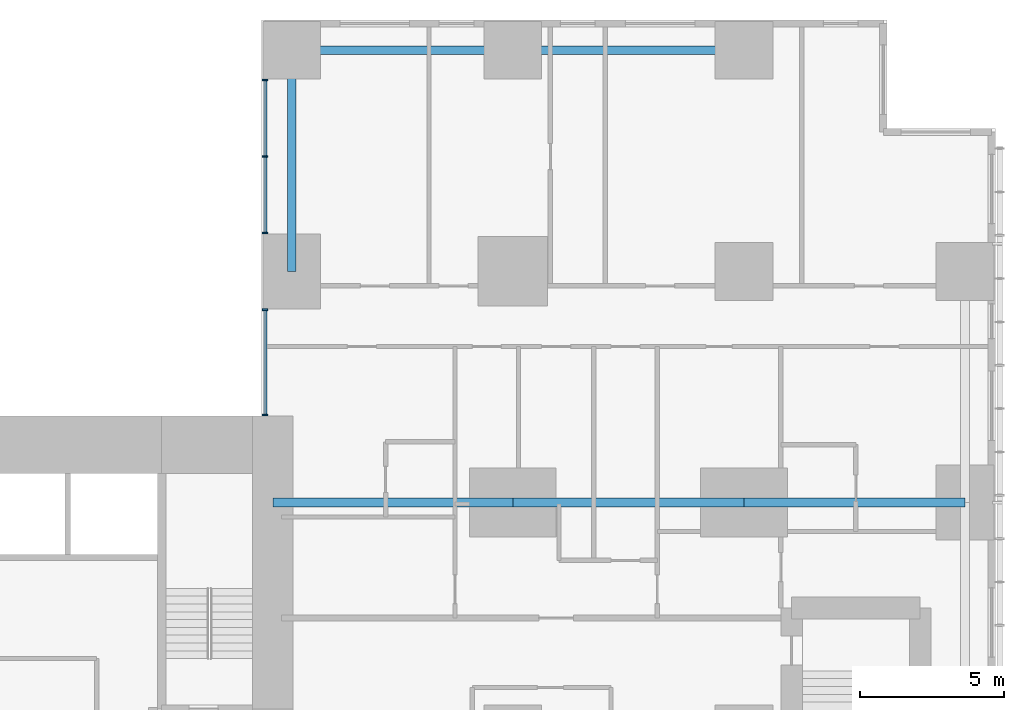
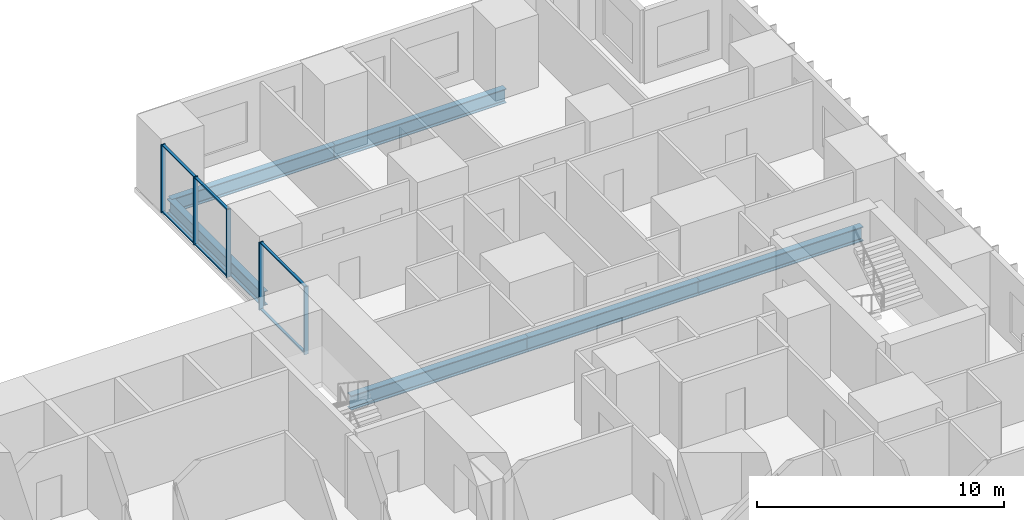
# One storey, part 5 of 20: 11 members, 6 beams, 2 elements without a shape of their own.
"""IFC4 building model written with IfcOpenShell, lengths in metres."""

from ifc_helpers import new_model, si_unit, direction, frame, origin, origin_2d, place, context, subcontext, project, spatial, rectangle, i_section, extrude, material, layer, layer_set, material_profile, profile_set, type_object, element, aggregate, save


model = new_model("IFC4")

# Units and contexts
model_context = context("Model", 3, precision=1e-05, world=origin(), true_north=direction((0.0, 1.0)))
body_context = subcontext(model_context, "Body", "Model", "MODEL_VIEW")
ifc_project = project(units=[si_unit("LENGTHUNIT", "METRE"), si_unit("AREAUNIT", "SQUARE_METRE"), si_unit("VOLUMEUNIT", "CUBIC_METRE"), si_unit("PLANEANGLEUNIT", "RADIAN"), si_unit("MASSUNIT", "GRAM", prefix="KILO")], contexts=[model_context])

# Site, building, storey
site_placement = place(None, origin())
site = spatial("IfcSite", under=ifc_project, at=site_placement, CompositionType="ELEMENT")
building_placement = place(site_placement, origin())
building = spatial("IfcBuilding", under=site, at=building_placement, Name="Cleftline Residences", CompositionType="ELEMENT")
storey_placement = place(building_placement, frame((0.0, 0.0, 33.199951171875)))
storey = spatial("IfcBuildingStorey", under=building, at=storey_placement, Name="L07", CompositionType="ELEMENT", Elevation=33.199951171875)

# Beams
ifc_material_1 = material(Name="Steel S355", Category="steel")
ifc_material_profile_1 = material_profile(ifc_material_1, i_section(OverallWidth=0.300048828125, OverallDepth=0.699951171875, WebThickness=0.01708984375, FlangeThickness=0.031982421875, FilletRadius=0.027099609375, at=origin_2d()))
ifc_profile_set_1 = profile_set([ifc_material_profile_1], Name="Steel S355")
beam_type_1 = type_object("IfcBeamType", Name="BEAM HEB 700", PredefinedType="BEAM", material=ifc_profile_set_1)
beam_1_placement = place(storey_placement, frame((58.0, 47.64990234375, -0.599853515625), z_axis=(-1.0, 0.0, 0.0), x_axis=(0.0, -1.0, 0.0)))
element("IfcBeam", 1, at=beam_1_placement, inside=storey, type_object=beam_type_1, Name="Edge beam", PredefinedType="BEAM", context=body_context, shape_type="SweptSolid", body=[
    extrude(i_section(OverallWidth=0.300048828125, OverallDepth=0.699951171875, WebThickness=0.01708984375, FlangeThickness=0.031982421875, FilletRadius=0.027099609375, at=origin_2d()), origin(), (0.0, 0.0, 1.0), 8.0),
])
for number, where, z_axis, x_axis, name in (
    (2, (50.0, 47.64990234375, -0.599853515625), (-1.0, 0.0, 0.0), (0.0, -1.0, 0.0), "Edge beam"),
    (3, (42.35009765625, 47.64990234375, -0.599853515625), (0.0, -1.0, 0.0), (1.0, 0.0, 0.0), "Edge beam"),
):
    element("IfcBeam", number, at=place(storey_placement, frame(where, z_axis=z_axis, x_axis=x_axis)), inside=storey, type_object=beam_type_1, Name=name, PredefinedType="BEAM", context=body_context, shape_type="SweptSolid", body=[
        extrude(i_section(OverallWidth=0.300048828125, OverallDepth=0.699951171875, WebThickness=0.01708984375, FlangeThickness=0.031982421875, FilletRadius=0.027099609375, at=origin_2d()), origin(), (0.0, 0.0, 1.0), 7.64990234375),
    ])
ifc_material_2 = material(Name="Steel S355", Category="steel")
ifc_material_profile_2 = material_profile(ifc_material_2, i_section(OverallWidth=0.303955078125, OverallDepth=0.716064453125, WebThickness=0.02099609375, FlangeThickness=0.0400390625, FilletRadius=0.027099609375, at=origin_2d()))
ifc_profile_set_2 = profile_set([ifc_material_profile_2], Name="Steel S355")
beam_type_2 = type_object("IfcBeamType", Name="BEAM HEM 700", PredefinedType="BEAM", material=ifc_profile_set_2)
beam_2_placement = place(storey_placement, frame((65.64990234375, 32.0, -0.60791015625), z_axis=(-1.0, 0.0, 0.0), x_axis=(0.0, -1.0, 0.0)))
element("IfcBeam", 4, at=beam_2_placement, inside=storey, type_object=beam_type_2, Name="Band beam", PredefinedType="BEAM", context=body_context, shape_type="SweptSolid", body=[
    extrude(i_section(OverallWidth=0.303955078125, OverallDepth=0.716064453125, WebThickness=0.02099609375, FlangeThickness=0.0400390625, FilletRadius=0.027099609375, at=origin_2d()), origin(), (0.0, 0.0, 1.0), 7.64990234375),
])
beam_3_placement = place(storey_placement, frame((58.0, 32.0, -0.60791015625), z_axis=(-1.0, 0.0, 0.0), x_axis=(0.0, -1.0, 0.0)))
element("IfcBeam", 5, at=beam_3_placement, inside=storey, type_object=beam_type_2, Name="Band beam", PredefinedType="BEAM", context=body_context, shape_type="SweptSolid", body=[
    extrude(i_section(OverallWidth=0.303955078125, OverallDepth=0.716064453125, WebThickness=0.02099609375, FlangeThickness=0.0400390625, FilletRadius=0.027099609375, at=origin_2d()), origin(), (0.0, 0.0, 1.0), 8.0),
])
beam_4_placement = place(storey_placement, frame((50.0, 32.0, -0.60791015625), z_axis=(-1.0, 0.0, 0.0), x_axis=(0.0, -1.0, 0.0)))
element("IfcBeam", 6, at=beam_4_placement, inside=storey, type_object=beam_type_2, Name="Band beam", PredefinedType="BEAM", context=body_context, shape_type="SweptSolid", body=[
    extrude(i_section(OverallWidth=0.303955078125, OverallDepth=0.716064453125, WebThickness=0.02099609375, FlangeThickness=0.0400390625, FilletRadius=0.027099609375, at=origin_2d()), origin(), (0.0, 0.0, 1.0), 8.300048828125),
])

# Curtain wall, members
ifc_material_3 = material(Name="Aluminium framed curtain wall", Category="aluminium")
ifc_layer = layer(ifc_material_3, 0.199951171875)
ifc_layer_set = layer_set([ifc_layer], Name="CW1 CLEFT GLAZING")
curtain_wall_type = type_object("IfcCurtainWallType", Name="CW1 CLEFT GLAZING", PredefinedType="NOTDEFINED", material=ifc_layer_set)
curtain_wall_1_placement = place(storey_placement, origin())
curtain_wall_1 = element("IfcCurtainWall", 7, at=curtain_wall_1_placement, inside=storey, type_object=curtain_wall_type, Name="Curtain wall CW1", PredefinedType="NOTDEFINED")
ifc_material_4 = material(Name="Aluminium mullion", Category="aluminium")
ifc_material_profile_3 = material_profile(ifc_material_4, rectangle(XDim=0.199951171875, YDim=0.06005859375, at=origin_2d()))
ifc_profile_set_3 = profile_set([ifc_material_profile_3], Name="Aluminium mullion")
member_type_1 = type_object("IfcMemberType", Name="CW1 MULLION", PredefinedType="MULLION", material=ifc_profile_set_3)
member_1_placement = place(storey_placement, frame((41.425048828125, 46.6201171875, 0.0), z_axis=(0.0, 0.0, 1.0), x_axis=(1.0, 0.0, 0.0)))
member_1 = element("IfcMember", 8, at=member_1_placement, type_object=member_type_1, Name="CW1 mullion 1", PredefinedType="MULLION", context=body_context, shape_type="SweptSolid", body=[
    extrude(rectangle(XDim=0.199951171875, YDim=0.06005859375, at=origin_2d()), origin(), (0.0, 0.0, 1.0), 3.35009765625),
])
member_2_placement = place(storey_placement, frame((41.425048828125, 43.97509765625, 0.0), z_axis=(0.0, 0.0, 1.0), x_axis=(1.0, 0.0, 0.0)))
member_2 = element("IfcMember", 9, at=member_2_placement, type_object=member_type_1, Name="CW1 mullion 2", PredefinedType="MULLION", context=body_context, shape_type="SweptSolid", body=[
    extrude(rectangle(XDim=0.199951171875, YDim=0.06005859375, at=origin_2d()), origin(), (0.0, 0.0, 1.0), 3.35009765625),
])
member_3_placement = place(storey_placement, frame((41.425048828125, 41.330078125, 0.0), z_axis=(0.0, 0.0, 1.0), x_axis=(1.0, 0.0, 0.0)))
member_3 = element("IfcMember", 10, at=member_3_placement, type_object=member_type_1, Name="CW1 mullion 3", PredefinedType="MULLION", context=body_context, shape_type="SweptSolid", body=[
    extrude(rectangle(XDim=0.199951171875, YDim=0.06005859375, at=origin_2d()), origin(), (0.0, 0.0, 1.0), 3.35009765625),
])

curtain_wall_2_placement = place(storey_placement, origin())
curtain_wall_2 = element("IfcCurtainWall", 11, at=curtain_wall_2_placement, inside=storey, type_object=curtain_wall_type, Name="Curtain wall CW1", PredefinedType="NOTDEFINED")
member_4_placement = place(storey_placement, frame((41.425048828125, 38.669921875, 0.0), z_axis=(0.0, 0.0, 1.0), x_axis=(1.0, 0.0, 0.0)))
member_4 = element("IfcMember", 12, at=member_4_placement, type_object=member_type_1, Name="CW1 mullion 1", PredefinedType="MULLION", context=body_context, shape_type="SweptSolid", body=[
    extrude(rectangle(XDim=0.199951171875, YDim=0.06005859375, at=origin_2d()), origin(), (0.0, 0.0, 1.0), 3.35009765625),
])
member_5_placement = place(storey_placement, frame((41.425048828125, 35.030029296875, 0.0), z_axis=(0.0, 0.0, 1.0), x_axis=(1.0, 0.0, 0.0)))
member_5 = element("IfcMember", 13, at=member_5_placement, type_object=member_type_1, Name="CW1 mullion 2", PredefinedType="MULLION", context=body_context, shape_type="SweptSolid", body=[
    extrude(rectangle(XDim=0.199951171875, YDim=0.06005859375, at=origin_2d()), origin(), (0.0, 0.0, 1.0), 3.35009765625),
])

# Member
ifc_material_5 = material(Name="Aluminium transom", Category="aluminium")
ifc_material_profile_4 = material_profile(ifc_material_5, rectangle(XDim=0.1201171875, YDim=0.06005859375, at=origin_2d()))
ifc_profile_set_4 = profile_set([ifc_material_profile_4], Name="Aluminium transom")
member_type_2 = type_object("IfcMemberType", Name="CW1 TRANSOM", PredefinedType="USERDEFINED", material=ifc_profile_set_4)
member_6_placement = place(storey_placement, frame((41.425048828125, 46.590087890625, 0.030029296875), z_axis=(0.0, -1.0, 0.0), x_axis=(1.0, 0.0, 0.0)))
member_6 = element("IfcMember", 14, at=member_6_placement, type_object=member_type_2, Name="CW1 transom 1.1", ObjectType="TRANSOM", PredefinedType="USERDEFINED", context=body_context, shape_type="SweptSolid", body=[
    extrude(rectangle(XDim=0.1201171875, YDim=0.06005859375, at=origin_2d()), origin(), (0.0, 0.0, 1.0), 2.585205078125),
])

member_7_placement = place(storey_placement, frame((41.425048828125, 46.590087890625, 3.320068359375), z_axis=(0.0, -1.0, 0.0), x_axis=(1.0, 0.0, 0.0)))
member_7 = element("IfcMember", 15, at=member_7_placement, type_object=member_type_2, Name="CW1 transom 1.2", ObjectType="TRANSOM", PredefinedType="USERDEFINED", context=body_context, shape_type="SweptSolid", body=[
    extrude(rectangle(XDim=0.1201171875, YDim=0.06005859375, at=origin_2d()), origin(), (0.0, 0.0, 1.0), 2.585205078125),
])

member_8_placement = place(storey_placement, frame((41.425048828125, 43.945068359375, 0.030029296875), z_axis=(0.0, -1.0, 0.0), x_axis=(1.0, 0.0, 0.0)))
member_8 = element("IfcMember", 16, at=member_8_placement, type_object=member_type_2, Name="CW1 transom 2.1", ObjectType="TRANSOM", PredefinedType="USERDEFINED", context=body_context, shape_type="SweptSolid", body=[
    extrude(rectangle(XDim=0.1201171875, YDim=0.06005859375, at=origin_2d()), origin(), (0.0, 0.0, 1.0), 2.5849609375),
])

member_9_placement = place(storey_placement, frame((41.425048828125, 43.945068359375, 3.320068359375), z_axis=(0.0, -1.0, 0.0), x_axis=(1.0, 0.0, 0.0)))
member_9 = element("IfcMember", 17, at=member_9_placement, type_object=member_type_2, Name="CW1 transom 2.2", ObjectType="TRANSOM", PredefinedType="USERDEFINED", context=body_context, shape_type="SweptSolid", body=[
    extrude(rectangle(XDim=0.1201171875, YDim=0.06005859375, at=origin_2d()), origin(), (0.0, 0.0, 1.0), 2.5849609375),
])

aggregate(curtain_wall_1, [member_1, member_2, member_3, member_6, member_7, member_8, member_9])

member_10_placement = place(storey_placement, frame((41.425048828125, 38.639892578125, 0.030029296875), z_axis=(0.0, -1.0, 0.0), x_axis=(1.0, 0.0, 0.0)))
member_10 = element("IfcMember", 18, at=member_10_placement, type_object=member_type_2, Name="CW1 transom 1.1", ObjectType="TRANSOM", PredefinedType="USERDEFINED", context=body_context, shape_type="SweptSolid", body=[
    extrude(rectangle(XDim=0.1201171875, YDim=0.06005859375, at=origin_2d()), origin(), (0.0, 0.0, 1.0), 3.579833984375),
])

member_11_placement = place(storey_placement, frame((41.425048828125, 38.639892578125, 3.320068359375), z_axis=(0.0, -1.0, 0.0), x_axis=(1.0, 0.0, 0.0)))
member_11 = element("IfcMember", 19, at=member_11_placement, type_object=member_type_2, Name="CW1 transom 1.2", ObjectType="TRANSOM", PredefinedType="USERDEFINED", context=body_context, shape_type="SweptSolid", body=[
    extrude(rectangle(XDim=0.1201171875, YDim=0.06005859375, at=origin_2d()), origin(), (0.0, 0.0, 1.0), 3.579833984375),
])

aggregate(curtain_wall_2, [member_4, member_5, member_10, member_11])

save(model, "model.ifc")
